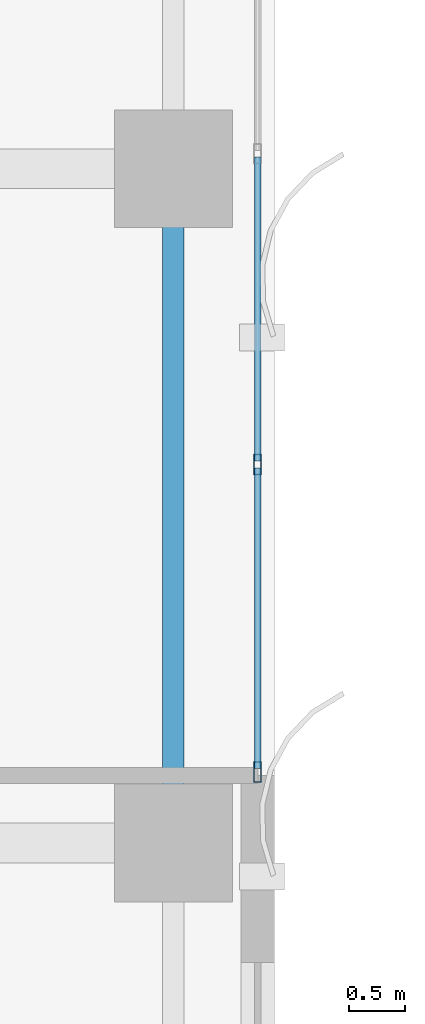
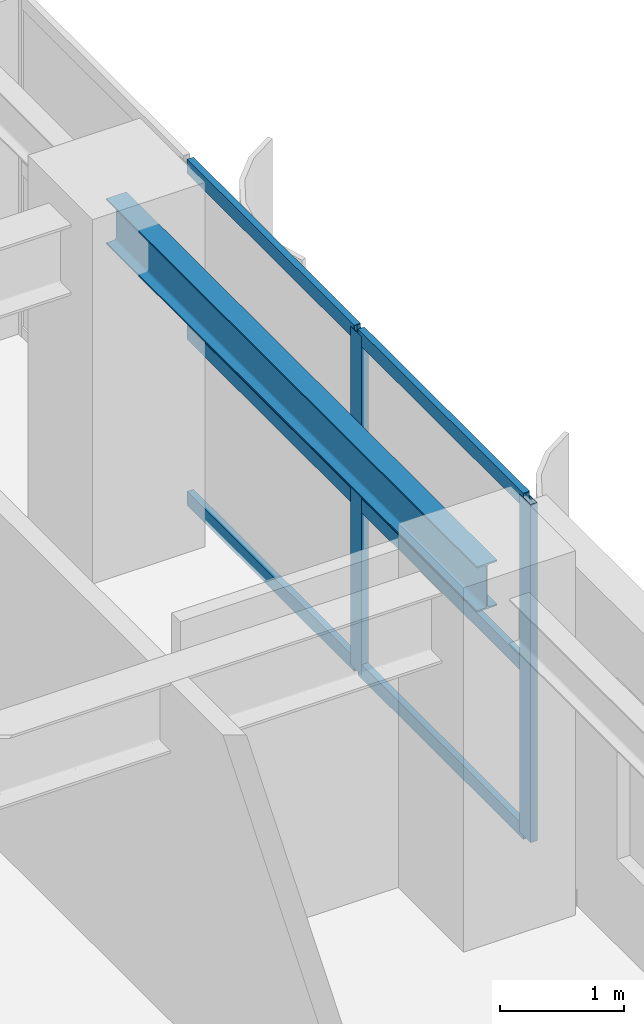
# One storey, part 7 of 19: 8 members, 1 beam, 1 element without a shape of its own.
"""IFC4 building model written with IfcOpenShell, lengths in metres."""

from ifc_helpers import new_model, si_unit, direction, frame, origin, origin_2d, place, context, subcontext, project, spatial, hollow_rectangle, i_section, extrude, source, transform, mapped, material, layer, layer_set, material_profile, profile_set, type_object, element, aggregate, save


model = new_model("IFC4")

# Units and contexts
model_context = context("Model", 3, precision=1e-05, world=origin(), true_north=direction((0.0, 1.0)))
body_context = subcontext(model_context, "Body", "Model", "MODEL_VIEW")
ifc_project = project(units=[si_unit("LENGTHUNIT", "METRE"), si_unit("AREAUNIT", "SQUARE_METRE"), si_unit("VOLUMEUNIT", "CUBIC_METRE"), si_unit("PLANEANGLEUNIT", "RADIAN"), si_unit("MASSUNIT", "GRAM", prefix="KILO")], contexts=[model_context])

# Site, building, storey
site_placement = place(None, origin())
site = spatial("IfcSite", under=ifc_project, at=site_placement, CompositionType="ELEMENT")
building_placement = place(site_placement, origin())
building = spatial("IfcBuilding", under=site, at=building_placement, Name="Khoralis Quay Care Tower", CompositionType="ELEMENT")
storey_placement = place(building_placement, frame((0.0, 0.0, 90.89990234375)))
storey = spatial("IfcBuildingStorey", under=building, at=storey_placement, Name="L23", CompositionType="ELEMENT", Elevation=90.89990234375)

# Beam
ifc_material_1 = material(Name="Steel S355", Category="steel")
ifc_material_profile_1 = material_profile(ifc_material_1, i_section(OverallWidth=0.18994140625, OverallDepth=0.449951171875, WebThickness=0.009521484375, FlangeThickness=0.0146484375, FilletRadius=0.02099609375, at=origin_2d()), Name="Steel S355")
ifc_profile_set_1 = profile_set([ifc_material_profile_1], Name="Steel S355")
beam_type = type_object("IfcBeamType", Name="BM-IPE450", PredefinedType="SPANDREL", material=ifc_profile_set_1)
shared_shape_1 = source(origin(), body_context, "Body", "SweptSolid", [
    extrude(i_section(OverallWidth=0.18994140625, OverallDepth=0.449951171875, WebThickness=0.009521484375, FlangeThickness=0.0146484375, FilletRadius=0.02099609375, at=origin_2d()), origin(), (0.0, 0.0, 1.0), 6.0),
])
beam_placement = place(storey_placement, frame((44.10009765625, 18.0, 3.114990234375), z_axis=(0.0, 1.0, 0.0), x_axis=(-1.0, 0.0, 0.0)))
element("IfcBeam", 1, at=beam_placement, inside=storey, type_object=beam_type, Name="BM-TSP-L23-18", PredefinedType="SPANDREL", context=body_context, shape_type="MappedRepresentation", body=[
    mapped(shared_shape_1, transform((0.0, 0.0, 0.0), scale=1.0)),
])

# Curtain wall, members
ifc_material_2 = material(Name="Pale anodised aluminium", Category="aluminium")
ifc_layer = layer(ifc_material_2, 0.169921875)
ifc_layer_set = layer_set([ifc_layer], Name="Pale anodised aluminium")
curtain_wall_type = type_object("IfcCurtainWallType", Name="CW-SYS-Z2", PredefinedType="NOTDEFINED", material=ifc_layer_set)
curtain_wall_placement = place(storey_placement, origin())
curtain_wall = element("IfcCurtainWall", 2, at=curtain_wall_placement, inside=storey, type_object=curtain_wall_type, Name="L23 Unitised Curtain Wall CW-L23-P1-E5", PredefinedType="NOTDEFINED")
ifc_material_profile_2 = material_profile(ifc_material_2, hollow_rectangle(XDim=0.06494140625, YDim=0.179931640625, WallThickness=0.00390625, at=origin_2d()), Name="Pale anodised aluminium")
ifc_profile_set_2 = profile_set([ifc_material_profile_2], Name="Pale anodised aluminium")
member_type_1 = type_object("IfcMemberType", Name="CW-MUL-180", PredefinedType="MULLION", material=ifc_profile_set_2)
shared_shape_2 = source(origin(), body_context, "Body", "SweptSolid", [
    extrude(hollow_rectangle(XDim=0.06494140625, YDim=0.179931640625, WallThickness=0.00390625, at=origin_2d()), origin(), (0.0, 0.0, 1.0), 3.340087890625),
])
member_1_placement = place(storey_placement, frame((44.85009765625, 18.6298828125, 0.0), z_axis=(0.0, 0.0, 1.0), x_axis=(-1.0, 0.0, 0.0)))
member_1 = element("IfcMember", 3, at=member_1_placement, type_object=member_type_1, Name="CW2 mullion 1", PredefinedType="MULLION", context=body_context, shape_type="MappedRepresentation", body=[
    mapped(shared_shape_2, transform((0.0, 0.0, 0.0), scale=1.0)),
])
member_2_placement = place(storey_placement, frame((44.85009765625, 21.36669921875, 0.0), z_axis=(0.0, 0.0, 1.0), x_axis=(-1.0, 0.0, 0.0)))
member_2 = element("IfcMember", 4, at=member_2_placement, type_object=member_type_1, Name="CW2 mullion 2", PredefinedType="MULLION", context=body_context, shape_type="MappedRepresentation", body=[
    mapped(shared_shape_2, transform((0.0, 0.0, 0.0), scale=1.0)),
])
ifc_material_profile_3 = material_profile(ifc_material_2, hollow_rectangle(XDim=0.06005859375, YDim=0.139892578125, WallThickness=0.00390625, at=origin_2d()), Name="Pale anodised aluminium")
ifc_profile_set_3 = profile_set([ifc_material_profile_3], Name="Pale anodised aluminium")
member_type_2 = type_object("IfcMemberType", Name="CW-TRN-140", PredefinedType="USERDEFINED", material=ifc_profile_set_3)
shared_shape_3 = source(origin(), body_context, "Body", "SweptSolid", [
    extrude(hollow_rectangle(XDim=0.06005859375, YDim=0.139892578125, WallThickness=0.00390625, at=origin_2d()), origin(), (0.0, 0.0, 1.0), 2.6767578125),
])
member_3_placement = place(storey_placement, frame((44.85009765625, 18.659912109375, 0.030029296875), z_axis=(0.0, 1.0, 0.0), x_axis=(-1.0, 0.0, 0.0)))
member_3 = element("IfcMember", 5, at=member_3_placement, type_object=member_type_2, Name="CW2 transom 1.1", ObjectType="TRANSOM", PredefinedType="USERDEFINED", context=body_context, shape_type="MappedRepresentation", body=[
    mapped(shared_shape_3, transform((0.0, 0.0, 0.0), scale=1.0)),
])
member_4_placement = place(storey_placement, frame((44.85009765625, 18.659912109375, 1.670166015625), z_axis=(0.0, 1.0, 0.0), x_axis=(-1.0, 0.0, 0.0)))
member_4 = element("IfcMember", 6, at=member_4_placement, type_object=member_type_2, Name="CW2 transom 1.2", ObjectType="TRANSOM", PredefinedType="USERDEFINED", context=body_context, shape_type="MappedRepresentation", body=[
    mapped(shared_shape_3, transform((0.0, 0.0, 0.0), scale=1.0)),
])
member_5_placement = place(storey_placement, frame((44.85009765625, 18.659912109375, 3.31005859375), z_axis=(0.0, 1.0, 0.0), x_axis=(-1.0, 0.0, 0.0)))
member_5 = element("IfcMember", 7, at=member_5_placement, type_object=member_type_2, Name="CW2 transom 1.3", ObjectType="TRANSOM", PredefinedType="USERDEFINED", context=body_context, shape_type="MappedRepresentation", body=[
    mapped(shared_shape_3, transform((0.0, 0.0, 0.0), scale=1.0)),
])
shared_shape_4 = source(origin(), body_context, "Body", "SweptSolid", [
    extrude(hollow_rectangle(XDim=0.06005859375, YDim=0.139892578125, WallThickness=0.00390625, at=origin_2d()), origin(), (0.0, 0.0, 1.0), 2.70654296875),
])
member_6_placement = place(storey_placement, frame((44.85009765625, 21.396728515625, 0.030029296875), z_axis=(0.0, 1.0, 0.0), x_axis=(-1.0, 0.0, 0.0)))
member_6 = element("IfcMember", 8, at=member_6_placement, type_object=member_type_2, Name="CW2 transom 2.1", ObjectType="TRANSOM", PredefinedType="USERDEFINED", context=body_context, shape_type="MappedRepresentation", body=[
    mapped(shared_shape_4, transform((0.0, 0.0, 0.0), scale=1.0)),
])
member_7_placement = place(storey_placement, frame((44.85009765625, 21.396728515625, 1.670166015625), z_axis=(0.0, 1.0, 0.0), x_axis=(-1.0, 0.0, 0.0)))
member_7 = element("IfcMember", 9, at=member_7_placement, type_object=member_type_2, Name="CW2 transom 2.2", ObjectType="TRANSOM", PredefinedType="USERDEFINED", context=body_context, shape_type="MappedRepresentation", body=[
    mapped(shared_shape_4, transform((0.0, 0.0, 0.0), scale=1.0)),
])
member_8_placement = place(storey_placement, frame((44.85009765625, 21.396728515625, 3.31005859375), z_axis=(0.0, 1.0, 0.0), x_axis=(-1.0, 0.0, 0.0)))
member_8 = element("IfcMember", 10, at=member_8_placement, type_object=member_type_2, Name="CW2 transom 2.3", ObjectType="TRANSOM", PredefinedType="USERDEFINED", context=body_context, shape_type="MappedRepresentation", body=[
    mapped(shared_shape_4, transform((0.0, 0.0, 0.0), scale=1.0)),
])
aggregate(curtain_wall, [member_1, member_2, member_3, member_4, member_5, member_6, member_7, member_8])

save(model, "model.ifc")
